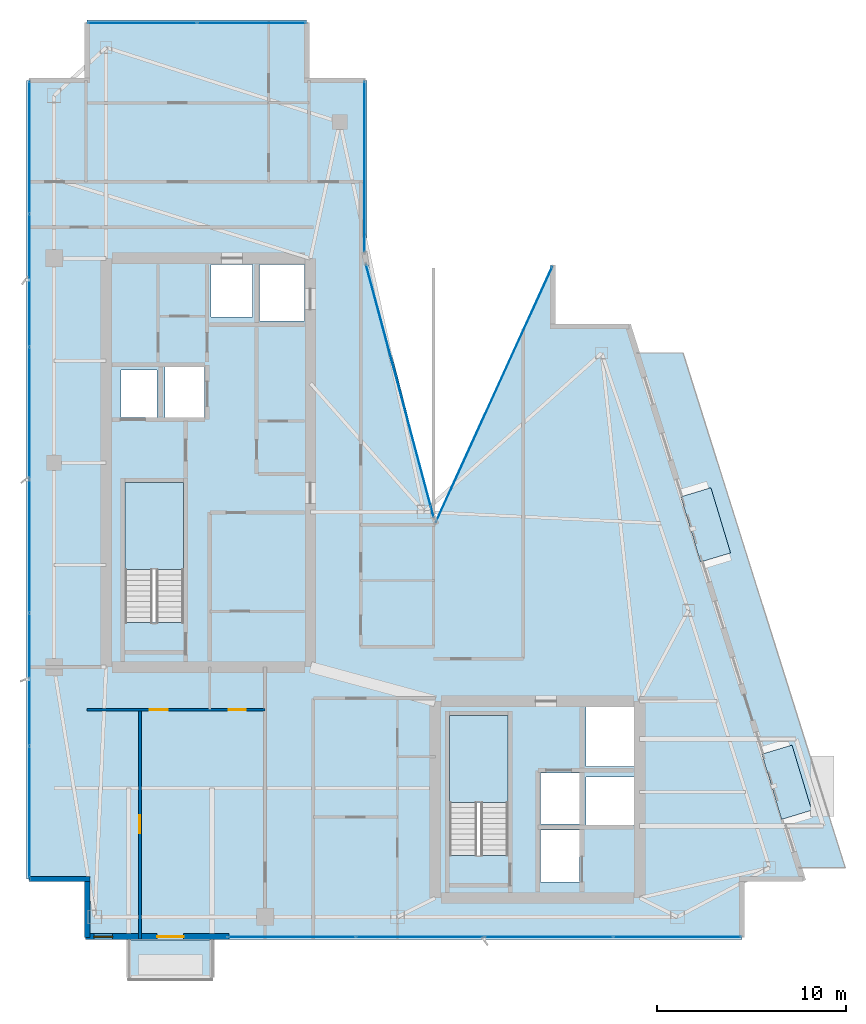
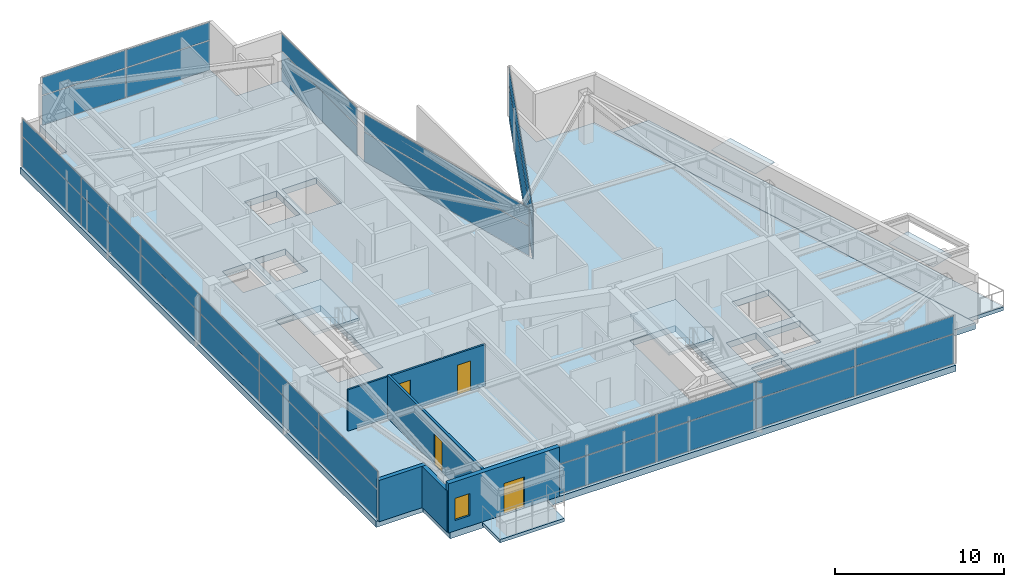
# One storey, part 21 of 27: 32 plates, 5 slabs, 5 walls, 4 doors, 1 window, 5 openings, 8 elements without a shape of their own.
"""IFC4 building model written with IfcOpenShell, lengths in metres."""

from ifc_helpers import new_model, si_unit, direction, frame, frame_2d, origin, origin_2d, place, context, subcontext, project, spatial, polyline, rectangle, outline, extrude, material, layer, layer_set, type_object, element, fill, aggregate, save


model = new_model("IFC4")

# Units and contexts
model_context = context("Model", 3, precision=1e-05, world=origin(), true_north=direction((0.0, 1.0)))
body_context = subcontext(model_context, "Body", "Model", "MODEL_VIEW")
ifc_project = project(units=[si_unit("LENGTHUNIT", "METRE"), si_unit("AREAUNIT", "SQUARE_METRE"), si_unit("VOLUMEUNIT", "CUBIC_METRE"), si_unit("PLANEANGLEUNIT", "RADIAN"), si_unit("MASSUNIT", "GRAM", prefix="KILO")], contexts=[model_context])

# Site, building, storey
site_placement = place(None, origin())
site = spatial("IfcSite", under=ifc_project, at=site_placement, CompositionType="ELEMENT")
building_placement = place(site_placement, origin())
building = spatial("IfcBuilding", under=site, at=building_placement, Name="Calvorn Quay Hotel", CompositionType="ELEMENT")
storey_placement = place(building_placement, frame((0.0, 0.0, 287.300048828125)))
storey = spatial("IfcBuildingStorey", under=building, at=storey_placement, Name="L71", CompositionType="ELEMENT", Elevation=287.300048828125)

# Curtain wall, plates
ifc_material_1 = material(Name="Champagne Bronze Anodised Aluminium and Low-E Glass", Category="aluminium")
ifc_layer_1 = layer(ifc_material_1, 0.219970703125)
ifc_layer_set_1 = layer_set([ifc_layer_1], Name="CW-SYS-Z4")
curtain_wall_type = type_object("IfcCurtainWallType", Name="CW-SYS-Z4", PredefinedType="NOTDEFINED", material=ifc_layer_set_1)
curtain_wall_1_placement = place(storey_placement, origin())
curtain_wall_1 = element("IfcCurtainWall", 1, at=curtain_wall_1_placement, inside=storey, type_object=curtain_wall_type, Name="Tower West Curtain Wall (L71)", PredefinedType="NOTDEFINED")
ifc_material_2 = material(Name="Low-E Laminated Double Glazing", Category="glass")
ifc_layer_2 = layer(ifc_material_2, 0.028076171875)
ifc_layer_set_2 = layer_set([ifc_layer_2], Name="CW-SYS-Z4-PAN")
plate_type_1 = type_object("IfcPlateType", Name="CW-SYS-Z4-PAN", PredefinedType="CURTAIN_PANEL", material=ifc_layer_set_2)
plate_1_placement = place(storey_placement, frame((0.14990234375, 9.131591796875, 0.06005859375), z_axis=(0.0, 0.0, 1.0), x_axis=(0.0, 1.0, 0.0)))
plate_1 = element("IfcPlate", 2, at=plate_1_placement, type_object=plate_type_1, Name="CW-L71-W panel 1.1", PredefinedType="CURTAIN_PANEL", context=body_context, shape_type="SweptSolid", body=[
    extrude(rectangle(XDim=6.943359375, YDim=0.028076171875, at=origin_2d()), origin(), (0.0, 0.0, 1.0), 2.110107421875),
])
plate_2_placement = place(storey_placement, frame((0.14990234375, 9.131591796875, 2.22998046875), z_axis=(0.0, 0.0, 1.0), x_axis=(0.0, 1.0, 0.0)))
plate_2 = element("IfcPlate", 3, at=plate_2_placement, type_object=plate_type_1, Name="CW-L71-W panel 1.2", PredefinedType="CURTAIN_PANEL", context=body_context, shape_type="SweptSolid", body=[
    extrude(rectangle(XDim=6.943359375, YDim=0.028076171875, at=origin_2d()), origin(), (0.0, 0.0, 1.0), 1.27001953125),
])
plate_3_placement = place(storey_placement, frame((0.14990234375, 16.14990234375, 0.06005859375), z_axis=(0.0, 0.0, 1.0), x_axis=(0.0, 1.0, 0.0)))
plate_3 = element("IfcPlate", 4, at=plate_3_placement, type_object=plate_type_1, Name="CW-L71-W panel 2.1", PredefinedType="CURTAIN_PANEL", context=body_context, shape_type="SweptSolid", body=[
    extrude(rectangle(XDim=6.973388671875, YDim=0.028076171875, at=origin_2d()), origin(), (0.0, 0.0, 1.0), 2.110107421875),
])
plate_4_placement = place(storey_placement, frame((0.14990234375, 16.14990234375, 2.22998046875), z_axis=(0.0, 0.0, 1.0), x_axis=(0.0, 1.0, 0.0)))
plate_4 = element("IfcPlate", 5, at=plate_4_placement, type_object=plate_type_1, Name="CW-L71-W panel 2.2", PredefinedType="CURTAIN_PANEL", context=body_context, shape_type="SweptSolid", body=[
    extrude(rectangle(XDim=6.973388671875, YDim=0.028076171875, at=origin_2d()), origin(), (0.0, 0.0, 1.0), 1.27001953125),
])
plate_5_placement = place(storey_placement, frame((0.14990234375, 23.183349609375, 0.06005859375), z_axis=(0.0, 0.0, 1.0), x_axis=(0.0, 1.0, 0.0)))
plate_5 = element("IfcPlate", 6, at=plate_5_placement, type_object=plate_type_1, Name="CW-L71-W panel 3.1", PredefinedType="CURTAIN_PANEL", context=body_context, shape_type="SweptSolid", body=[
    extrude(rectangle(XDim=6.973388671875, YDim=0.028076171875, at=origin_2d()), origin(), (0.0, 0.0, 1.0), 2.110107421875),
])
plate_6_placement = place(storey_placement, frame((0.14990234375, 23.183349609375, 2.22998046875), z_axis=(0.0, 0.0, 1.0), x_axis=(0.0, 1.0, 0.0)))
plate_6 = element("IfcPlate", 7, at=plate_6_placement, type_object=plate_type_1, Name="CW-L71-W panel 3.2", PredefinedType="CURTAIN_PANEL", context=body_context, shape_type="SweptSolid", body=[
    extrude(rectangle(XDim=6.973388671875, YDim=0.028076171875, at=origin_2d()), origin(), (0.0, 0.0, 1.0), 1.27001953125),
])
plate_7_placement = place(storey_placement, frame((0.14990234375, 30.216552734375, 0.06005859375), z_axis=(0.0, 0.0, 1.0), x_axis=(0.0, 1.0, 0.0)))
plate_7 = element("IfcPlate", 8, at=plate_7_placement, type_object=plate_type_1, Name="CW-L71-W panel 4.1", PredefinedType="CURTAIN_PANEL", context=body_context, shape_type="SweptSolid", body=[
    extrude(rectangle(XDim=6.973388671875, YDim=0.028076171875, at=origin_2d()), origin(), (0.0, 0.0, 1.0), 2.110107421875),
])
plate_8_placement = place(storey_placement, frame((0.14990234375, 30.216552734375, 2.22998046875), z_axis=(0.0, 0.0, 1.0), x_axis=(0.0, 1.0, 0.0)))
plate_8 = element("IfcPlate", 9, at=plate_8_placement, type_object=plate_type_1, Name="CW-L71-W panel 4.2", PredefinedType="CURTAIN_PANEL", context=body_context, shape_type="SweptSolid", body=[
    extrude(rectangle(XDim=6.973388671875, YDim=0.028076171875, at=origin_2d()), origin(), (0.0, 0.0, 1.0), 1.27001953125),
])
plate_9_placement = place(storey_placement, frame((0.14990234375, 37.25, 0.06005859375), z_axis=(0.0, 0.0, 1.0), x_axis=(0.0, 1.0, 0.0)))
plate_9 = element("IfcPlate", 10, at=plate_9_placement, type_object=plate_type_1, Name="CW-L71-W panel 5.1", PredefinedType="CURTAIN_PANEL", context=body_context, shape_type="SweptSolid", body=[
    extrude(rectangle(XDim=6.973388671875, YDim=0.028076171875, at=origin_2d()), origin(), (0.0, 0.0, 1.0), 2.110107421875),
])
plate_10_placement = place(storey_placement, frame((0.14990234375, 37.25, 2.22998046875), z_axis=(0.0, 0.0, 1.0), x_axis=(0.0, 1.0, 0.0)))
plate_10 = element("IfcPlate", 11, at=plate_10_placement, type_object=plate_type_1, Name="CW-L71-W panel 5.2", PredefinedType="CURTAIN_PANEL", context=body_context, shape_type="SweptSolid", body=[
    extrude(rectangle(XDim=6.973388671875, YDim=0.028076171875, at=origin_2d()), origin(), (0.0, 0.0, 1.0), 1.27001953125),
])
plate_11_placement = place(storey_placement, frame((0.14990234375, 44.268310546875, 0.06005859375), z_axis=(0.0, 0.0, 1.0), x_axis=(0.0, 1.0, 0.0)))
plate_11 = element("IfcPlate", 12, at=plate_11_placement, type_object=plate_type_1, Name="CW-L71-W panel 6.1", PredefinedType="CURTAIN_PANEL", context=body_context, shape_type="SweptSolid", body=[
    extrude(rectangle(XDim=6.943359375, YDim=0.028076171875, at=origin_2d()), origin(), (0.0, 0.0, 1.0), 2.110107421875),
])
plate_12_placement = place(storey_placement, frame((0.14990234375, 44.268310546875, 2.22998046875), z_axis=(0.0, 0.0, 1.0), x_axis=(0.0, 1.0, 0.0)))
plate_12 = element("IfcPlate", 13, at=plate_12_placement, type_object=plate_type_1, Name="CW-L71-W panel 6.2", PredefinedType="CURTAIN_PANEL", context=body_context, shape_type="SweptSolid", body=[
    extrude(rectangle(XDim=6.943359375, YDim=0.028076171875, at=origin_2d()), origin(), (0.0, 0.0, 1.0), 1.27001953125),
])
aggregate(curtain_wall_1, [plate_1, plate_2, plate_3, plate_4, plate_5, plate_6, plate_7, plate_8, plate_9, plate_10, plate_11, plate_12])

curtain_wall_2_placement = place(storey_placement, origin())
curtain_wall_2 = element("IfcCurtainWall", 14, at=curtain_wall_2_placement, inside=storey, type_object=curtain_wall_type, Name="Tower South Waterfront Curtain Wall (L71)", PredefinedType="NOTDEFINED")
plate_13_placement = place(storey_placement, frame((14.014892578125, 2.550048828125, 0.06005859375), z_axis=(0.0, 0.0, 1.0), x_axis=(1.0, 0.0, 0.0)))
plate_13 = element("IfcPlate", 15, at=plate_13_placement, type_object=plate_type_1, Name="CW-L71-S panel 1.1", PredefinedType="CURTAIN_PANEL", context=body_context, shape_type="SweptSolid", body=[
    extrude(rectangle(XDim=6.7099609375, YDim=0.028076171875, at=origin_2d()), origin(), (0.0, 0.0, 1.0), 2.110107421875),
])
plate_14_placement = place(storey_placement, frame((14.014892578125, 2.550048828125, 2.22998046875), z_axis=(0.0, 0.0, 1.0), x_axis=(1.0, 0.0, 0.0)))
plate_14 = element("IfcPlate", 16, at=plate_14_placement, type_object=plate_type_1, Name="CW-L71-S panel 1.2", PredefinedType="CURTAIN_PANEL", context=body_context, shape_type="SweptSolid", body=[
    extrude(rectangle(XDim=6.7099609375, YDim=0.028076171875, at=origin_2d()), origin(), (0.0, 0.0, 1.0), 1.27001953125),
])
plate_15_placement = place(storey_placement, frame((20.800048828125, 2.550048828125, 0.06005859375), z_axis=(0.0, 0.0, 1.0), x_axis=(1.0, 0.0, 0.0)))
plate_15 = element("IfcPlate", 17, at=plate_15_placement, type_object=plate_type_1, Name="CW-L71-S panel 2.1", PredefinedType="CURTAIN_PANEL", context=body_context, shape_type="SweptSolid", body=[
    extrude(rectangle(XDim=6.739990234375, YDim=0.028076171875, at=origin_2d()), origin(), (0.0, 0.0, 1.0), 2.110107421875),
])
plate_16_placement = place(storey_placement, frame((20.800048828125, 2.550048828125, 2.22998046875), z_axis=(0.0, 0.0, 1.0), x_axis=(1.0, 0.0, 0.0)))
plate_16 = element("IfcPlate", 18, at=plate_16_placement, type_object=plate_type_1, Name="CW-L71-S panel 2.2", PredefinedType="CURTAIN_PANEL", context=body_context, shape_type="SweptSolid", body=[
    extrude(rectangle(XDim=6.739990234375, YDim=0.028076171875, at=origin_2d()), origin(), (0.0, 0.0, 1.0), 1.27001953125),
])
plate_17_placement = place(storey_placement, frame((27.60009765625, 2.550048828125, 0.06005859375), z_axis=(0.0, 0.0, 1.0), x_axis=(1.0, 0.0, 0.0)))
plate_17 = element("IfcPlate", 19, at=plate_17_placement, type_object=plate_type_1, Name="CW-L71-S panel 3.1", PredefinedType="CURTAIN_PANEL", context=body_context, shape_type="SweptSolid", body=[
    extrude(rectangle(XDim=6.739990234375, YDim=0.028076171875, at=origin_2d()), origin(), (0.0, 0.0, 1.0), 2.110107421875),
])
plate_18_placement = place(storey_placement, frame((27.60009765625, 2.550048828125, 2.22998046875), z_axis=(0.0, 0.0, 1.0), x_axis=(1.0, 0.0, 0.0)))
plate_18 = element("IfcPlate", 20, at=plate_18_placement, type_object=plate_type_1, Name="CW-L71-S panel 3.2", PredefinedType="CURTAIN_PANEL", context=body_context, shape_type="SweptSolid", body=[
    extrude(rectangle(XDim=6.739990234375, YDim=0.028076171875, at=origin_2d()), origin(), (0.0, 0.0, 1.0), 1.27001953125),
])
plate_19_placement = place(storey_placement, frame((34.385009765625, 2.550048828125, 0.06005859375), z_axis=(0.0, 0.0, 1.0), x_axis=(1.0, 0.0, 0.0)))
plate_19 = element("IfcPlate", 21, at=plate_19_placement, type_object=plate_type_1, Name="CW-L71-S panel 4.1", PredefinedType="CURTAIN_PANEL", context=body_context, shape_type="SweptSolid", body=[
    extrude(rectangle(XDim=6.7099609375, YDim=0.028076171875, at=origin_2d()), origin(), (0.0, 0.0, 1.0), 2.110107421875),
])
plate_20_placement = place(storey_placement, frame((34.385009765625, 2.550048828125, 2.22998046875), z_axis=(0.0, 0.0, 1.0), x_axis=(1.0, 0.0, 0.0)))
plate_20 = element("IfcPlate", 22, at=plate_20_placement, type_object=plate_type_1, Name="CW-L71-S panel 4.2", PredefinedType="CURTAIN_PANEL", context=body_context, shape_type="SweptSolid", body=[
    extrude(rectangle(XDim=6.7099609375, YDim=0.028076171875, at=origin_2d()), origin(), (0.0, 0.0, 1.0), 1.27001953125),
])
aggregate(curtain_wall_2, [plate_13, plate_14, plate_15, plate_16, plate_17, plate_18, plate_19, plate_20])

curtain_wall_3_placement = place(storey_placement, origin())
curtain_wall_3 = element("IfcCurtainWall", 23, at=curtain_wall_3_placement, inside=storey, type_object=curtain_wall_type, Name="Inner Court Curtain Wall L71-NE1", PredefinedType="NOTDEFINED")
plate_21_placement = place(storey_placement, frame((24.699951171875, 31.199951171875, 0.06005859375), z_axis=(0.0, 0.0, 1.0), x_axis=(-0.414810847724, -0.909907665981, 0.0)))
plate_21 = element("IfcPlate", 24, at=plate_21_placement, type_object=plate_type_1, Name="CW-L71-NE1 panel 1.1", PredefinedType="CURTAIN_PANEL", context=body_context, shape_type="SweptSolid", body=[
    extrude(rectangle(XDim=14.82666015625, YDim=0.028076171875, at=origin_2d()), origin(), (0.0, 0.0, 1.0), 2.110107421875),
])
plate_22_placement = place(storey_placement, frame((24.699951171875, 31.199951171875, 2.22998046875), z_axis=(0.0, 0.0, 1.0), x_axis=(-0.414810847724, -0.909907665981, 0.0)))
plate_22 = element("IfcPlate", 25, at=plate_22_placement, type_object=plate_type_1, Name="CW-L71-NE1 panel 1.2", PredefinedType="CURTAIN_PANEL", context=body_context, shape_type="SweptSolid", body=[
    extrude(rectangle(XDim=14.82666015625, YDim=0.028076171875, at=origin_2d()), origin(), (0.0, 0.0, 1.0), 1.27001953125),
])
aggregate(curtain_wall_3, [plate_21, plate_22])

curtain_wall_4_placement = place(storey_placement, origin())
curtain_wall_4 = element("IfcCurtainWall", 26, at=curtain_wall_4_placement, inside=storey, type_object=curtain_wall_type, Name="Inner Court Curtain Wall L71-IC1", PredefinedType="NOTDEFINED")
plate_23_placement = place(storey_placement, frame((19.72509765625, 31.39990234375, 0.06005859375), z_axis=(0.0, 0.0, 1.0), x_axis=(-0.25877913024, 0.96593652056, 0.0)))
plate_23 = element("IfcPlate", 27, at=plate_23_placement, type_object=plate_type_1, Name="CW-L71-IC1 panel 1.1", PredefinedType="CURTAIN_PANEL", context=body_context, shape_type="SweptSolid", body=[
    extrude(rectangle(XDim=13.814697265625, YDim=0.028076171875, at=origin_2d()), origin(), (0.0, 0.0, 1.0), 2.110107421875),
])
plate_24_placement = place(storey_placement, frame((19.72509765625, 31.39990234375, 2.22998046875), z_axis=(0.0, 0.0, 1.0), x_axis=(-0.25877913024, 0.96593652056, 0.0)))
plate_24 = element("IfcPlate", 28, at=plate_24_placement, type_object=plate_type_1, Name="CW-L71-IC1 panel 1.2", PredefinedType="CURTAIN_PANEL", context=body_context, shape_type="SweptSolid", body=[
    extrude(rectangle(XDim=13.814697265625, YDim=0.028076171875, at=origin_2d()), origin(), (0.0, 0.0, 1.0), 1.27001953125),
])
aggregate(curtain_wall_4, [plate_23, plate_24])

curtain_wall_5_placement = place(storey_placement, origin())
curtain_wall_5 = element("IfcCurtainWall", 29, at=curtain_wall_5_placement, inside=storey, type_object=curtain_wall_type, Name="Inner Court Curtain Wall L71-IC2", PredefinedType="NOTDEFINED")
plate_25_placement = place(storey_placement, frame((17.85009765625, 43.239990234375, 0.06005859375), z_axis=(0.0, 0.0, 1.0), x_axis=(0.0, 1.0, 0.0)))
plate_25 = element("IfcPlate", 30, at=plate_25_placement, type_object=plate_type_1, Name="CW-L71-IC2 panel 1.1", PredefinedType="CURTAIN_PANEL", context=body_context, shape_type="SweptSolid", body=[
    extrude(rectangle(XDim=9.0, YDim=0.028076171875, at=origin_2d()), origin(), (0.0, 0.0, 1.0), 2.110107421875),
])
plate_26_placement = place(storey_placement, frame((17.85009765625, 43.239990234375, 2.22998046875), z_axis=(0.0, 0.0, 1.0), x_axis=(0.0, 1.0, 0.0)))
plate_26 = element("IfcPlate", 31, at=plate_26_placement, type_object=plate_type_1, Name="CW-L71-IC2 panel 1.2", PredefinedType="CURTAIN_PANEL", context=body_context, shape_type="SweptSolid", body=[
    extrude(rectangle(XDim=9.0, YDim=0.028076171875, at=origin_2d()), origin(), (0.0, 0.0, 1.0), 1.27001953125),
])
aggregate(curtain_wall_5, [plate_25, plate_26])

curtain_wall_6_placement = place(storey_placement, origin())
curtain_wall_6 = element("IfcCurtainWall", 32, at=curtain_wall_6_placement, inside=storey, type_object=curtain_wall_type, Name="Inner Court Curtain Wall L71-N1", PredefinedType="NOTDEFINED")
plate_27_placement = place(storey_placement, frame((11.885009765625, 50.85009765625, 0.06005859375), z_axis=(0.0, 0.0, 1.0), x_axis=(-1.0, 0.0, 0.0)))
plate_27 = element("IfcPlate", 33, at=plate_27_placement, type_object=plate_type_1, Name="CW-L71-N1 panel 1.1", PredefinedType="CURTAIN_PANEL", context=body_context, shape_type="SweptSolid", body=[
    extrude(rectangle(XDim=5.7099609375, YDim=0.028076171875, at=origin_2d()), origin(), (0.0, 0.0, 1.0), 2.110107421875),
])
plate_28_placement = place(storey_placement, frame((11.885009765625, 50.85009765625, 2.22998046875), z_axis=(0.0, 0.0, 1.0), x_axis=(-1.0, 0.0, 0.0)))
plate_28 = element("IfcPlate", 34, at=plate_28_placement, type_object=plate_type_1, Name="CW-L71-N1 panel 1.2", PredefinedType="CURTAIN_PANEL", context=body_context, shape_type="SweptSolid", body=[
    extrude(rectangle(XDim=5.7099609375, YDim=0.028076171875, at=origin_2d()), origin(), (0.0, 0.0, 1.0), 1.27001953125),
])
plate_29_placement = place(storey_placement, frame((6.114990234375, 50.85009765625, 0.06005859375), z_axis=(0.0, 0.0, 1.0), x_axis=(-1.0, 0.0, 0.0)))
plate_29 = element("IfcPlate", 35, at=plate_29_placement, type_object=plate_type_1, Name="CW-L71-N1 panel 2.1", PredefinedType="CURTAIN_PANEL", context=body_context, shape_type="SweptSolid", body=[
    extrude(rectangle(XDim=5.7099609375, YDim=0.028076171875, at=origin_2d()), origin(), (0.0, 0.0, 1.0), 2.110107421875),
])
plate_30_placement = place(storey_placement, frame((6.114990234375, 50.85009765625, 2.22998046875), z_axis=(0.0, 0.0, 1.0), x_axis=(-1.0, 0.0, 0.0)))
plate_30 = element("IfcPlate", 36, at=plate_30_placement, type_object=plate_type_1, Name="CW-L71-N1 panel 2.2", PredefinedType="CURTAIN_PANEL", context=body_context, shape_type="SweptSolid", body=[
    extrude(rectangle(XDim=5.7099609375, YDim=0.028076171875, at=origin_2d()), origin(), (0.0, 0.0, 1.0), 1.27001953125),
])
aggregate(curtain_wall_6, [plate_27, plate_28, plate_29, plate_30])

# Plates
ifc_material_3 = material(Name="Tempered Laminated Low-E Glass", Category="glass")
ifc_layer_3 = layer(ifc_material_3, 0.0380859375)
ifc_layer_set_3 = layer_set([ifc_layer_3], Name="PLT-HOOD-GLAZ")
plate_type_2 = type_object("IfcPlateType", Name="PLT-HOOD-GLAZ", PredefinedType="SHEET", material=ifc_layer_set_3)
for number, where, z_axis, x_axis, name in (
    (37, (40.174072265625, 10.718017578125, 2.466796875), (0.0, 0.0, 1.0), (0.957319497532, 0.289031796944, 0.0), "Angled Glass Bay Hood Panel L71-HOOD-1"),
    (38, (35.888916015625, 24.318115234375, 2.466796875), (0.0, 0.0, 1.0), (0.957319497532, 0.289031796944, 0.0), "Angled Glass Bay Hood Panel L71-HOOD-3"),
):
    element("IfcPlate", number, at=place(storey_placement, frame(where, z_axis=z_axis, x_axis=x_axis)), inside=storey, type_object=plate_type_2, Name=name, PredefinedType="SHEET", context=body_context, shape_type="SweptSolid", body=[
        extrude(rectangle(XDim=1.659912109375, YDim=3.60009765625, at=origin_2d()), origin(), (0.0, 0.0, 1.0), 0.0380859375),
    ])

# Slab
ifc_material_4 = material(Name="Concrete C40", Category="concrete")
ifc_layer_4 = layer(ifc_material_4, 0.239990234375)
ifc_layer_set_4 = layer_set([ifc_layer_4], Name="SLB-BALCONY-220")
slab_type_1 = type_object("IfcSlabType", Name="SLB-BALCONY-220", PredefinedType="FLOOR", material=ifc_layer_set_4)
slab_1_placement = place(storey_placement, frame((0.0, 0.0, -0.239990234375)))
element("IfcSlab", 39, at=slab_1_placement, inside=storey, type_object=slab_type_1, Name="Tree Balcony Slab L71-BALC-S", PredefinedType="FLOOR", context=body_context, shape_type="SweptSolid", body=[
    extrude(outline(polyline([(5.39990234375, 0.2900390625), (9.800048828125, 0.2900390625), (9.800048828125, 2.389892578125), (5.39990234375, 2.389892578125), (5.39990234375, 0.2900390625)])), origin(), (0.0, 0.0, 1.0), 0.239990234375),
])

# Stair, slab
ifc_material_5 = material(Name="Concrete C40", Category="concrete")
stair_type = type_object("IfcStairType", Name="STR-CORE-DOGLEG", PredefinedType="HALF_TURN_STAIR", material=ifc_material_5)
stair_1_placement = place(storey_placement, origin())
stair_1 = element("IfcStair", 40, at=stair_1_placement, inside=storey, type_object=stair_type, Name="L71 ST-W", PredefinedType="HALF_TURN_STAIR")
ifc_material_6 = material(Name="Concrete C40", Category="concrete")
ifc_layer_5 = layer(ifc_material_6, 0.199951171875)
ifc_layer_set_5 = layer_set([ifc_layer_5], Name="SLB-STAIR-LANDING-200")
slab_type_2 = type_object("IfcSlabType", Name="SLB-STAIR-LANDING-200", PredefinedType="LANDING", material=ifc_layer_set_5)
slab_2_placement = place(storey_placement, frame((0.0, 0.0, 1.699951171875)))
slab_2 = element("IfcSlab", 41, at=slab_2_placement, type_object=slab_type_2, Name="ST-W landing 1", PredefinedType="LANDING", context=body_context, shape_type="SweptSolid", body=[
    extrude(outline(polyline([(8.300048828125, 21.949951171875), (8.300048828125, 26.550048828125), (5.199951171875, 26.550048828125), (5.199951171875, 21.949951171875), (8.300048828125, 21.949951171875)])), origin(), (0.0, 0.0, 1.0), 0.199951171875),
])
aggregate(stair_1, [slab_2])

stair_2_placement = place(storey_placement, origin())
stair_2 = element("IfcStair", 42, at=stair_2_placement, inside=storey, type_object=stair_type, Name="L71 ST-E", PredefinedType="HALF_TURN_STAIR")
slab_3_placement = place(storey_placement, frame((0.0, 0.0, 1.699951171875)))
slab_3 = element("IfcSlab", 43, at=slab_3_placement, type_object=slab_type_2, Name="ST-E landing 1", PredefinedType="LANDING", context=body_context, shape_type="SweptSolid", body=[
    extrude(outline(polyline([(25.449951171875, 9.64990234375), (25.449951171875, 14.25), (22.35009765625, 14.25), (22.35009765625, 9.64990234375), (25.449951171875, 9.64990234375)])), origin(), (0.0, 0.0, 1.0), 0.199951171875),
])
aggregate(stair_2, [slab_3])

# Slabs
ifc_material_7 = material(Name="Concrete C40", Category="concrete")
ifc_layer_6 = layer(ifc_material_7, 0.260009765625)
ifc_layer_set_6 = layer_set([ifc_layer_6], Name="SLB-TERRACE-260")
slab_type_3 = type_object("IfcSlabType", Name="SLB-TERRACE-260", PredefinedType="ROOF", material=ifc_layer_set_6)
slab_4_placement = place(storey_placement, frame((0.0, 0.0, -0.260009765625)))
element("IfcSlab", 44, at=slab_4_placement, inside=storey, type_object=slab_type_3, Name="Sawtooth Setback Terrace Slab L71", PredefinedType="ROOF", context=body_context, shape_type="SweptSolid", body=[
    extrude(outline(polyline([(40.8310546875, 6.199951171875), (43.260986328125, 6.199951171875), (34.69091796875, 33.39990234375), (32.260986328125, 33.39990234375), (40.8310546875, 6.199951171875)])), origin(), (0.0, 0.0, 1.0), 0.260009765625),
])
ifc_material_8 = material(Name="Concrete C50", Category="concrete")
ifc_layer_7 = layer(ifc_material_8, 0.449951171875)
ifc_layer_set_7 = layer_set([ifc_layer_7], Name="SLB-XFER-450")
slab_type_4 = type_object("IfcSlabType", Name="SLB-XFER-450", PredefinedType="FLOOR", material=ifc_layer_set_7)
slab_5_placement = place(storey_placement, frame((0.0, 0.0, -0.449951171875)))
element("IfcSlab", 45, at=slab_5_placement, inside=storey, type_object=slab_type_4, Name="L71 Structural Floor Slab", PredefinedType="FLOOR", context=body_context, shape_type="SweptSolid", body=[
    extrude(outline(polyline([(0.0, 5.60009765625), (3.199951171875, 5.60009765625), (3.199951171875, 2.39990234375), (37.800048828125, 2.39990234375), (37.800048828125, 5.60009765625), (41.0, 5.60009765625), (31.800048828125, 34.800048828125), (27.800048828125, 34.800048828125), (27.800048828125, 38.0), (21.60009765625, 24.39990234375), (18.0, 38.39990234375), (18.0, 47.800048828125), (14.800048828125, 47.800048828125), (14.800048828125, 51.0), (3.199951171875, 51.0), (3.199951171875, 47.800048828125), (0.0, 47.800048828125), (0.0, 5.60009765625)]), holes=[polyline([(5.199951171875, 19.156005859375), (8.300048828125, 19.156005859375), (8.300048828125, 26.550048828125), (5.199951171875, 26.550048828125), (5.199951171875, 19.156005859375)]), polyline([(22.35009765625, 6.85595703125), (25.449951171875, 6.85595703125), (25.449951171875, 14.25), (22.35009765625, 14.25), (22.35009765625, 6.85595703125)]), polyline([(5.0, 30.0), (6.89990234375, 30.0), (6.89990234375, 32.5), (5.0, 32.5), (5.0, 30.0)]), polyline([(7.300048828125, 30.0), (9.39990234375, 30.0), (9.39990234375, 32.64990234375), (7.300048828125, 32.64990234375), (7.300048828125, 30.0)]), polyline([(27.159912109375, 8.5), (29.2099609375, 8.5), (29.2099609375, 11.199951171875), (27.159912109375, 11.199951171875), (27.159912109375, 8.5)]), polyline([(27.159912109375, 5.449951171875), (29.2099609375, 5.449951171875), (29.2099609375, 8.199951171875), (27.159912109375, 8.199951171875), (27.159912109375, 5.449951171875)]), polyline([(12.300048828125, 35.10009765625), (14.68994140625, 35.10009765625), (14.68994140625, 38.090087890625), (12.300048828125, 38.090087890625), (12.300048828125, 35.10009765625)]), polyline([(9.75, 35.300048828125), (11.949951171875, 35.300048828125), (11.949951171875, 38.090087890625), (9.75, 38.090087890625), (9.75, 35.300048828125)]), polyline([(29.550048828125, 11.550048828125), (32.090087890625, 11.550048828125), (32.090087890625, 14.68994140625), (29.550048828125, 14.68994140625), (29.550048828125, 11.550048828125)]), polyline([(29.550048828125, 8.449951171875), (32.090087890625, 8.449951171875), (32.090087890625, 11.0), (29.550048828125, 11.0), (29.550048828125, 8.449951171875)])]), origin(), (0.0, 0.0, 1.0), 0.449951171875),
])

# Wall, openings, doors
ifc_material_9 = material(Name="Moisture-Resistant Tile-Backed Partition")
ifc_layer_8 = layer(ifc_material_9, 0.125)
ifc_layer_set_8 = layer_set([ifc_layer_8], Name="WL-ENSUITE-125")
wall_type_1 = type_object("IfcWallType", Name="WL-ENSUITE-125", PredefinedType="PARTITIONING", material=ifc_layer_set_8)
wall_1_placement = place(storey_placement, frame((3.199951171875, 14.550048828125, 0.0), z_axis=(0.0, 0.0, 1.0), x_axis=(1.0, 0.0, 0.0)))
wall_1 = element("IfcWall", 46, at=wall_1_placement, inside=storey, type_object=wall_type_1, Name="Partition Wall L71-WL-U01-BH", PredefinedType="PARTITIONING", context=body_context, shape_type="SweptSolid", body=[
    extrude(rectangle(XDim=9.400146484375, YDim=0.125, at=frame_2d((4.7001953125, 0.0))), origin(), (0.0, 0.0, 1.0), 2.989990234375),
])
opening_1_placement = place(wall_1_placement, frame((3.300048828125, 0.0, 0.0)))
opening_1 = element("IfcOpeningElement", 47, at=opening_1_placement, cuts=wall_1, Name="Opening D-L71-S01", PredefinedType="OPENING", context=body_context, shape_type="SweptSolid", body=[
    extrude(rectangle(XDim=0.9599609375, YDim=2.199951171875, at=frame_2d((0.47998046875, 1.10009765625))), frame((0.0, 0.072509765625, 0.0), z_axis=(0.0, -1.0, 0.0), x_axis=(1.0, 0.0, 0.0)), (0.0, 0.0, 1.0), 0.14501953125),
])
opening_2_placement = place(wall_1_placement, frame((7.489990234375, 0.0, 0.0)))
opening_2 = element("IfcOpeningElement", 48, at=opening_2_placement, cuts=wall_1, Name="Opening D-L71-E01", PredefinedType="OPENING", context=body_context, shape_type="SweptSolid", body=[
    extrude(rectangle(XDim=0.89990234375, YDim=2.14990234375, at=frame_2d((0.449951171875, 1.074951171875))), frame((0.0, 0.072509765625, 0.0), z_axis=(0.0, -1.0, 0.0), x_axis=(1.0, 0.0, 0.0)), (0.0, 0.0, 1.0), 0.14501953125),
])
ifc_material_10 = material(Name="Moisture-Sealed Timber En-Suite Door", Category="wood")
door_type_1 = type_object("IfcDoorType", Name="DR-ENSUITE-900", OperationType="NOTDEFINED", PredefinedType="DOOR", material=ifc_material_10)
door_1_placement = place(opening_2_placement, origin())
door_1 = element("IfcDoor", 49, at=door_1_placement, inside=storey, type_object=door_type_1, Name="En-Suite Door 01", OperationType="SINGLE_SWING_RIGHT", OverallHeight=2.14990234375, OverallWidth=0.89990234375, PredefinedType="DOOR", context=body_context, shape_type="SweptSolid", body=[
    extrude(rectangle(XDim=0.89990234375, YDim=2.14990234375, at=frame_2d((0.449951171875, 1.074951171875))), frame((0.0, 0.02490234375, 0.0), z_axis=(0.0, -1.0, 0.0), x_axis=(1.0, 0.0, 0.0)), (0.0, 0.0, 1.0), 0.050048828125),
])
fill(opening_2, door_1)
ifc_material_11 = material(Name="Solid Timber Internal Suite Door", Category="wood")
door_type_2 = type_object("IfcDoorType", Name="DR-SUITE-INT-960", OperationType="NOTDEFINED", PredefinedType="DOOR", material=ifc_material_11)
door_2_placement = place(opening_1_placement, origin())
door_2 = element("IfcDoor", 50, at=door_2_placement, inside=storey, type_object=door_type_2, Name="Walk-In Wardrobe Door 01", OperationType="SINGLE_SWING_LEFT", OverallHeight=2.199951171875, OverallWidth=0.9599609375, PredefinedType="DOOR", context=body_context, shape_type="SweptSolid", body=[
    extrude(rectangle(XDim=0.9599609375, YDim=2.199951171875, at=frame_2d((0.47998046875, 1.10009765625))), frame((0.0, 0.02490234375, 0.0), z_axis=(0.0, -1.0, 0.0), x_axis=(1.0, 0.0, 0.0)), (0.0, 0.0, 1.0), 0.050048828125),
])
fill(opening_1, door_2)

# Wall, openings, door, window
ifc_material_12 = material(Name="Concrete C40", Category="concrete")
ifc_layer_9 = layer(ifc_material_12, 0.320068359375)
ifc_layer_set_9 = layer_set([ifc_layer_9], Name="WL-EXT-SPANDREL-320")
wall_type_2 = type_object("IfcWallType", Name="WL-EXT-SPANDREL-320", PredefinedType="SOLIDWALL", material=ifc_layer_set_9)
wall_2_placement = place(storey_placement, frame((3.10009765625, 2.56005859375, 0.0), z_axis=(0.0, 0.0, 1.0), x_axis=(1.0, 0.0, 0.0)))
wall_2 = element("IfcWall", 51, at=wall_2_placement, inside=storey, type_object=wall_type_2, Name="South Balcony Exterior Wall (L71)", PredefinedType="SOLIDWALL", context=body_context, shape_type="SweptSolid", body=[
    extrude(rectangle(XDim=7.599853515625, YDim=0.320068359375, at=frame_2d((3.7998046875, 0.0))), origin(), (0.0, 0.0, 1.0), 3.56005859375),
])
opening_3_placement = place(wall_2_placement, frame((0.449951171875, 0.0, 0.75)))
opening_3 = element("IfcOpeningElement", 52, at=opening_3_placement, cuts=wall_2, Name="Opening WSB-L71-1", PredefinedType="OPENING", context=body_context, shape_type="SweptSolid", body=[
    extrude(rectangle(XDim=1.0, YDim=1.60009765625, at=frame_2d((0.5, 0.800048828125))), frame((0.0, 0.169921875, 0.0), z_axis=(0.0, -1.0, 0.0), x_axis=(1.0, 0.0, 0.0)), (0.0, 0.0, 1.0), 0.340087890625),
])
opening_4_placement = place(wall_2_placement, frame((3.800048828125, 0.0, 0.0)))
opening_4 = element("IfcOpeningElement", 53, at=opening_4_placement, cuts=wall_2, Name="Opening DB-L71-1", PredefinedType="OPENING", context=body_context, shape_type="SweptSolid", body=[
    extrude(rectangle(XDim=1.39990234375, YDim=2.25, at=frame_2d((0.699951171875, 1.125))), frame((0.0, 0.169921875, 0.0), z_axis=(0.0, -1.0, 0.0), x_axis=(1.0, 0.0, 0.0)), (0.0, 0.0, 1.0), 0.340087890625),
])
ifc_material_13 = material(Name="Typhoon-Rated Low-E Aluminium Terrace Door", Category="aluminium")
door_type_3 = type_object("IfcDoorType", Name="DR-BALCONY-GLZ-1400", OperationType="NOTDEFINED", PredefinedType="DOOR", material=ifc_material_13)
door_3_placement = place(opening_4_placement, origin())
door_3 = element("IfcDoor", 54, at=door_3_placement, inside=storey, type_object=door_type_3, Name="Tree Balcony Terrace Door L71-BALC-S", OperationType="SINGLE_SWING_LEFT", OverallHeight=2.25, OverallWidth=1.39990234375, PredefinedType="DOOR", context=body_context, shape_type="SweptSolid", body=[
    extrude(rectangle(XDim=1.39990234375, YDim=2.25, at=frame_2d((0.699951171875, 1.125))), frame((0.0, 0.02490234375, 0.0), z_axis=(0.0, -1.0, 0.0), x_axis=(1.0, 0.0, 0.0)), (0.0, 0.0, 1.0), 0.050048828125),
])
fill(opening_4, door_3)
ifc_material_14 = material(Name="Self-Closing Class B Side Fire Window")
window_type = type_object("IfcWindowType", Name="WIN-REFUGE-NARROW-1000x1600", PartitioningType="SINGLE_PANEL", PredefinedType="WINDOW", material=ifc_material_14)
window_placement = place(opening_3_placement, origin())
window = element("IfcWindow", 55, at=window_placement, inside=storey, type_object=window_type, Name="South Waterfront Side Window (L71)", OverallHeight=1.60009765625, OverallWidth=1.0, PartitioningType="SINGLE_PANEL", PredefinedType="WINDOW", context=body_context, shape_type="SweptSolid", body=[
    extrude(rectangle(XDim=1.0, YDim=1.60009765625, at=frame_2d((0.5, 0.800048828125))), frame((0.0, 0.030029296875, 0.0), z_axis=(0.0, -1.0, 0.0), x_axis=(1.0, 0.0, 0.0)), (0.0, 0.0, 1.0), 0.06005859375),
])
fill(opening_3, window)

# Walls
wall_3_placement = place(storey_placement, frame((0.1201171875, 5.60009765625, 0.0), z_axis=(0.0, 0.0, 1.0), x_axis=(1.0, 0.0, 0.0)))
element("IfcWall", 56, at=wall_3_placement, inside=storey, type_object=wall_type_2, Name="Notched Corner Spandrel L71-SW1", PredefinedType="SOLIDWALL", context=body_context, shape_type="SweptSolid", body=[
    extrude(rectangle(XDim=3.219970703125, YDim=0.280029296875, at=frame_2d((1.60986328125, 0.0))), origin(), (0.0, 0.0, 1.0), 2.989990234375),
])
wall_4_placement = place(storey_placement, frame((3.199951171875, 5.4599609375, 0.0), z_axis=(0.0, 0.0, 1.0), x_axis=(0.0, -1.0, 0.0)))
element("IfcWall", 57, at=wall_4_placement, inside=storey, type_object=wall_type_2, Name="Notched Corner Spandrel L71-SW2", PredefinedType="SOLIDWALL", context=body_context, shape_type="SweptSolid", body=[
    extrude(rectangle(XDim=2.93994140625, YDim=0.280029296875, at=frame_2d((1.469970703125, 0.0))), origin(), (0.0, 0.0, 1.0), 2.989990234375),
])

# Wall, opening, door
ifc_material_15 = material(Name="Double-Stud Acoustic Gypsum Partition")
ifc_layer_10 = layer(ifc_material_15, 0.159912109375)
ifc_layer_set_10 = layer_set([ifc_layer_10], Name="WL-INTERSUITE-160")
wall_type_3 = type_object("IfcWallType", Name="WL-INTERSUITE-160", PredefinedType="PARTITIONING", material=ifc_layer_set_10)
wall_5_placement = place(storey_placement, frame((5.97998046875, 2.43994140625, 0.0), z_axis=(0.0, 0.0, 1.0), x_axis=(0.0, 1.0, 0.0)))
wall_5 = element("IfcWall", 58, at=wall_5_placement, inside=storey, type_object=wall_type_3, Name="Partition Wall L71-WL-U01-MSP", PredefinedType="PARTITIONING", context=body_context, shape_type="SweptSolid", body=[
    extrude(rectangle(XDim=12.110107421875, YDim=0.159912109375, at=frame_2d((6.05517578125, 0.0))), origin(), (0.0, 0.0, 1.0), 3.08984375),
])
opening_5_placement = place(wall_5_placement, frame((5.580078125, 0.0, 0.0)))
opening_5 = element("IfcOpeningElement", 59, at=opening_5_placement, cuts=wall_5, Name="Opening D-L71-M01", PredefinedType="OPENING", context=body_context, shape_type="SweptSolid", body=[
    extrude(rectangle(XDim=0.9599609375, YDim=2.199951171875, at=frame_2d((0.47998046875, 1.10009765625))), frame((0.0, 0.08984375, 0.0), z_axis=(0.0, -1.0, 0.0), x_axis=(1.0, 0.0, 0.0)), (0.0, 0.0, 1.0), 0.179931640625),
])
door_4_placement = place(opening_5_placement, origin())
door_4 = element("IfcDoor", 60, at=door_4_placement, inside=storey, type_object=door_type_2, Name="Suite Bedroom Door 01", OperationType="SINGLE_SWING_LEFT", OverallHeight=2.199951171875, OverallWidth=0.9599609375, PredefinedType="DOOR", context=body_context, shape_type="SweptSolid", body=[
    extrude(rectangle(XDim=0.9599609375, YDim=2.199951171875, at=frame_2d((0.47998046875, 1.10009765625))), frame((0.0, 0.02490234375, 0.0), z_axis=(0.0, -1.0, 0.0), x_axis=(1.0, 0.0, 0.0)), (0.0, 0.0, 1.0), 0.050048828125),
])
fill(opening_5, door_4)

save(model, "model.ifc")
